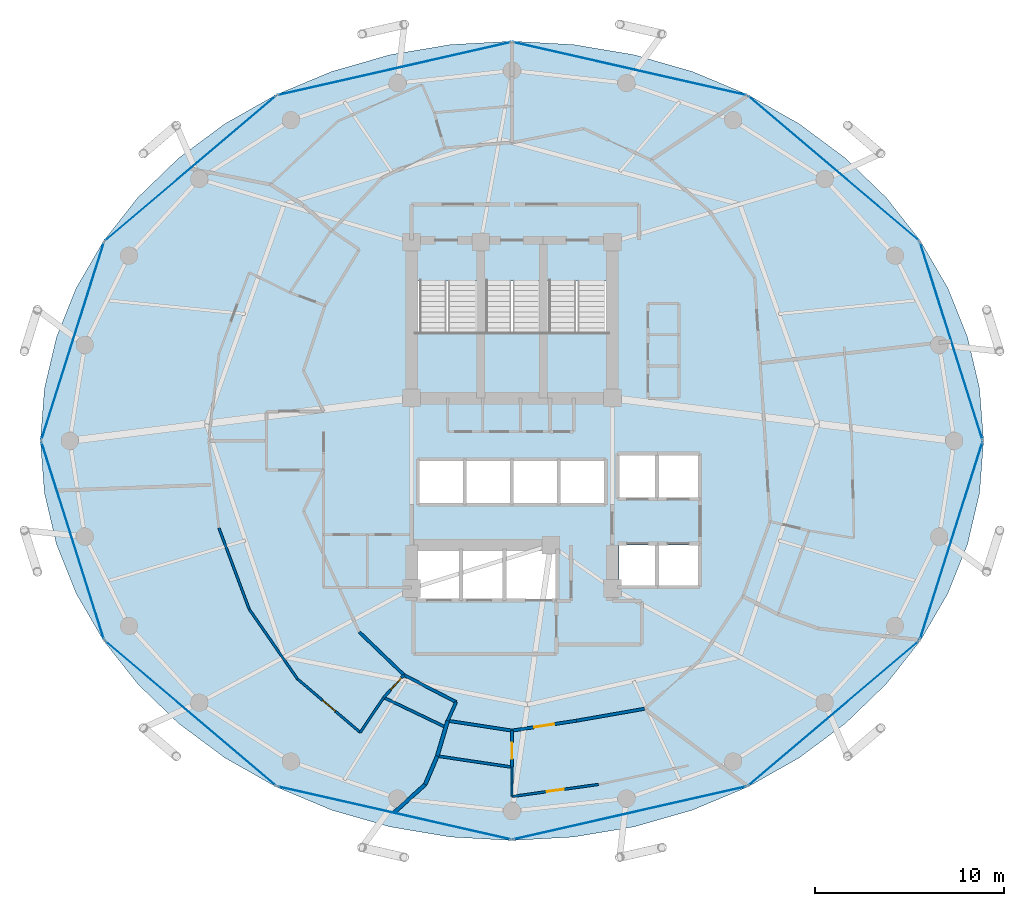
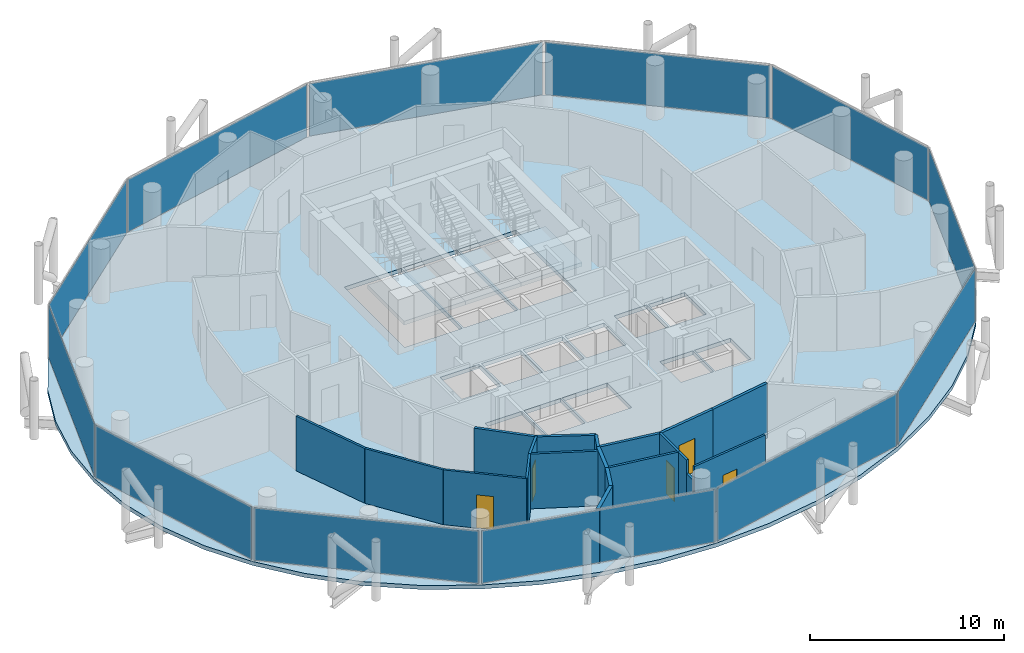
# One storey, part 21 of 26: 20 walls, 12 plates, 5 doors, 4 slabs, 5 openings, 15 elements without a shape of their own.
"""IFC4 building model written with IfcOpenShell, lengths in metres."""

from ifc_helpers import new_model, si_unit, direction, frame, frame_2d, origin, origin_2d, place, context, subcontext, project, spatial, polyline, rectangle, outline, extrude, material, layer, layer_set, type_object, element, fill, aggregate, save


model = new_model("IFC4")

# Units and contexts
model_context = context("Model", 3, precision=1e-05, world=origin(), true_north=direction((0.0, 1.0)))
body_context = subcontext(model_context, "Body", "Model", "MODEL_VIEW")
ifc_project = project(units=[si_unit("LENGTHUNIT", "METRE"), si_unit("AREAUNIT", "SQUARE_METRE"), si_unit("VOLUMEUNIT", "CUBIC_METRE"), si_unit("PLANEANGLEUNIT", "RADIAN"), si_unit("MASSUNIT", "GRAM", prefix="KILO")], contexts=[model_context])

# Site, building, storey
site_placement = place(None, origin())
site = spatial("IfcSite", under=ifc_project, at=site_placement, CompositionType="ELEMENT")
building_placement = place(site_placement, origin())
building = spatial("IfcBuilding", under=site, at=building_placement, Name="Nuhasar Tower", CompositionType="ELEMENT")
storey_placement = place(building_placement, frame((0.0, 0.0, 136.75)))
storey = spatial("IfcBuildingStorey", under=building, at=storey_placement, Name="L32", CompositionType="ELEMENT", Elevation=136.75)

# Curtain wall, plate
ifc_material_1 = material(Name="Aluminium 6063-T6", Category="aluminium")
ifc_layer_1 = layer(ifc_material_1, 0.199951171875)
ifc_layer_set_1 = layer_set([ifc_layer_1], Name="Aluminium 6063-T6")
curtain_wall_type = type_object("IfcCurtainWallType", Name="CW-Z2-HTL", PredefinedType="NOTDEFINED", material=ifc_layer_set_1)
curtain_wall_1_placement = place(storey_placement, origin())
curtain_wall_1 = element("IfcCurtainWall", 1, at=curtain_wall_1_placement, inside=storey, type_object=curtain_wall_type, Name="L32 Unitised Curtain Wall 01", PredefinedType="NOTDEFINED")
ifc_material_2 = material(Name="Glass Double Low-E", Category="glass")
ifc_layer_2 = layer(ifc_material_2, 0.028076171875)
ifc_layer_set_2 = layer_set([ifc_layer_2], Name="Glass Double Low-E")
plate_type = type_object("IfcPlateType", Name="CW-PANEL-GLZ", PredefinedType="CURTAIN_PANEL", material=ifc_layer_set_2)
plate_1_placement = place(storey_placement, frame((62.194580078125, 32.06494140625, 0.070068359375), z_axis=(0.0, 0.0, 1.0), x_axis=(-0.301603667577, 0.953433389233, 0.0)))
plate_1 = element("IfcPlate", 2, at=plate_1_placement, type_object=plate_type, Name="CW-Z2 panel 1.1", PredefinedType="CURTAIN_PANEL", context=body_context, shape_type="SweptSolid", body=[
    extrude(rectangle(XDim=10.904296875, YDim=0.028076171875, at=origin_2d()), origin(), (0.0, 0.0, 1.0), 3.31005859375),
])
aggregate(curtain_wall_1, [plate_1])

curtain_wall_2_placement = place(storey_placement, origin())
curtain_wall_2 = element("IfcCurtainWall", 3, at=curtain_wall_2_placement, inside=storey, type_object=curtain_wall_type, Name="L32 Unitised Curtain Wall 02", PredefinedType="NOTDEFINED")
plate_2_placement = place(storey_placement, frame((55.9794921875, 41.18408203125, 0.070068359375), z_axis=(0.0, 0.0, 1.0), x_axis=(-0.763020370292, 0.646374438324, 0.0)))
plate_2 = element("IfcPlate", 4, at=plate_2_placement, type_object=plate_type, Name="CW-Z2 panel 1.1", PredefinedType="CURTAIN_PANEL", context=body_context, shape_type="SweptSolid", body=[
    extrude(rectangle(XDim=11.784912109375, YDim=0.028076171875, at=origin_2d()), origin(), (0.0, 0.0, 1.0), 3.31005859375),
])
aggregate(curtain_wall_2, [plate_2])

curtain_wall_3_placement = place(storey_placement, origin())
curtain_wall_3 = element("IfcCurtainWall", 5, at=curtain_wall_3_placement, inside=storey, type_object=curtain_wall_type, Name="L32 Unitised Curtain Wall 03", PredefinedType="NOTDEFINED")
plate_3_placement = place(storey_placement, frame((45.215087890625, 46.448974609375, 0.070068359375), z_axis=(0.0, 0.0, 1.0), x_axis=(-0.975183694221, 0.22139729566, 0.0)))
plate_3 = element("IfcPlate", 6, at=plate_3_placement, type_object=plate_type, Name="CW-Z2 panel 1.1", PredefinedType="CURTAIN_PANEL", context=body_context, shape_type="SweptSolid", body=[
    extrude(rectangle(XDim=12.606201171875, YDim=0.028076171875, at=origin_2d()), origin(), (0.0, 0.0, 1.0), 3.31005859375),
])
aggregate(curtain_wall_3, [plate_3])

curtain_wall_4_placement = place(storey_placement, origin())
curtain_wall_4 = element("IfcCurtainWall", 7, at=curtain_wall_4_placement, inside=storey, type_object=curtain_wall_type, Name="L32 Unitised Curtain Wall 04", PredefinedType="NOTDEFINED")
plate_4_placement = place(storey_placement, frame((32.784912109375, 46.448974609375, 0.070068359375), z_axis=(0.0, 0.0, 1.0), x_axis=(-0.975183694221, -0.22139729566, 0.0)))
plate_4 = element("IfcPlate", 8, at=plate_4_placement, type_object=plate_type, Name="CW-Z2 panel 1.1", PredefinedType="CURTAIN_PANEL", context=body_context, shape_type="SweptSolid", body=[
    extrude(rectangle(XDim=12.606201171875, YDim=0.028076171875, at=origin_2d()), origin(), (0.0, 0.0, 1.0), 3.31005859375),
])
aggregate(curtain_wall_4, [plate_4])

curtain_wall_5_placement = place(storey_placement, origin())
curtain_wall_5 = element("IfcCurtainWall", 9, at=curtain_wall_5_placement, inside=storey, type_object=curtain_wall_type, Name="L32 Unitised Curtain Wall 05", PredefinedType="NOTDEFINED")
plate_5_placement = place(storey_placement, frame((22.0205078125, 41.18408203125, 0.070068359375), z_axis=(0.0, 0.0, 1.0), x_axis=(-0.763020370292, -0.646374438324, 0.0)))
plate_5 = element("IfcPlate", 10, at=plate_5_placement, type_object=plate_type, Name="CW-Z2 panel 1.1", PredefinedType="CURTAIN_PANEL", context=body_context, shape_type="SweptSolid", body=[
    extrude(rectangle(XDim=11.784912109375, YDim=0.028076171875, at=origin_2d()), origin(), (0.0, 0.0, 1.0), 3.31005859375),
])
aggregate(curtain_wall_5, [plate_5])

curtain_wall_6_placement = place(storey_placement, origin())
curtain_wall_6 = element("IfcCurtainWall", 11, at=curtain_wall_6_placement, inside=storey, type_object=curtain_wall_type, Name="L32 Unitised Curtain Wall 06", PredefinedType="NOTDEFINED")
plate_6_placement = place(storey_placement, frame((15.805419921875, 32.06494140625, 0.070068359375), z_axis=(0.0, 0.0, 1.0), x_axis=(-0.301603667577, -0.953433389233, 0.0)))
plate_6 = element("IfcPlate", 12, at=plate_6_placement, type_object=plate_type, Name="CW-Z2 panel 1.1", PredefinedType="CURTAIN_PANEL", context=body_context, shape_type="SweptSolid", body=[
    extrude(rectangle(XDim=10.904296875, YDim=0.028076171875, at=origin_2d()), origin(), (0.0, 0.0, 1.0), 3.31005859375),
])
aggregate(curtain_wall_6, [plate_6])

curtain_wall_7_placement = place(storey_placement, origin())
curtain_wall_7 = element("IfcCurtainWall", 13, at=curtain_wall_7_placement, inside=storey, type_object=curtain_wall_type, Name="L32 Unitised Curtain Wall 07", PredefinedType="NOTDEFINED")
plate_7_placement = place(storey_placement, frame((15.805419921875, 21.534912109375, 0.070068359375), z_axis=(0.0, 0.0, 1.0), x_axis=(0.301603667577, -0.953433389233, 0.0)))
plate_7 = element("IfcPlate", 14, at=plate_7_placement, type_object=plate_type, Name="CW-Z2 panel 1.1", PredefinedType="CURTAIN_PANEL", context=body_context, shape_type="SweptSolid", body=[
    extrude(rectangle(XDim=10.904296875, YDim=0.028076171875, at=origin_2d()), origin(), (0.0, 0.0, 1.0), 3.31005859375),
])
aggregate(curtain_wall_7, [plate_7])

curtain_wall_8_placement = place(storey_placement, origin())
curtain_wall_8 = element("IfcCurtainWall", 15, at=curtain_wall_8_placement, inside=storey, type_object=curtain_wall_type, Name="L32 Unitised Curtain Wall 08", PredefinedType="NOTDEFINED")
plate_8_placement = place(storey_placement, frame((22.0205078125, 12.416015625, 0.070068359375), z_axis=(0.0, 0.0, 1.0), x_axis=(0.763020370292, -0.646374438324, 0.0)))
plate_8 = element("IfcPlate", 16, at=plate_8_placement, type_object=plate_type, Name="CW-Z2 panel 1.1", PredefinedType="CURTAIN_PANEL", context=body_context, shape_type="SweptSolid", body=[
    extrude(rectangle(XDim=11.784912109375, YDim=0.028076171875, at=origin_2d()), origin(), (0.0, 0.0, 1.0), 3.31005859375),
])
aggregate(curtain_wall_8, [plate_8])

curtain_wall_9_placement = place(storey_placement, origin())
curtain_wall_9 = element("IfcCurtainWall", 17, at=curtain_wall_9_placement, inside=storey, type_object=curtain_wall_type, Name="L32 Unitised Curtain Wall 09", PredefinedType="NOTDEFINED")
plate_9_placement = place(storey_placement, frame((32.784912109375, 7.15087890625, 0.070068359375), z_axis=(0.0, 0.0, 1.0), x_axis=(0.975183694221, -0.22139729566, 0.0)))
plate_9 = element("IfcPlate", 18, at=plate_9_placement, type_object=plate_type, Name="CW-Z2 panel 1.1", PredefinedType="CURTAIN_PANEL", context=body_context, shape_type="SweptSolid", body=[
    extrude(rectangle(XDim=12.606201171875, YDim=0.028076171875, at=origin_2d()), origin(), (0.0, 0.0, 1.0), 3.31005859375),
])
aggregate(curtain_wall_9, [plate_9])

curtain_wall_10_placement = place(storey_placement, origin())
curtain_wall_10 = element("IfcCurtainWall", 19, at=curtain_wall_10_placement, inside=storey, type_object=curtain_wall_type, Name="L32 Unitised Curtain Wall 10", PredefinedType="NOTDEFINED")
plate_10_placement = place(storey_placement, frame((45.215087890625, 7.15087890625, 0.070068359375), z_axis=(0.0, 0.0, 1.0), x_axis=(0.975183694221, 0.22139729566, 0.0)))
plate_10 = element("IfcPlate", 20, at=plate_10_placement, type_object=plate_type, Name="CW-Z2 panel 1.1", PredefinedType="CURTAIN_PANEL", context=body_context, shape_type="SweptSolid", body=[
    extrude(rectangle(XDim=12.606201171875, YDim=0.028076171875, at=origin_2d()), origin(), (0.0, 0.0, 1.0), 3.31005859375),
])
aggregate(curtain_wall_10, [plate_10])

curtain_wall_11_placement = place(storey_placement, origin())
curtain_wall_11 = element("IfcCurtainWall", 21, at=curtain_wall_11_placement, inside=storey, type_object=curtain_wall_type, Name="L32 Unitised Curtain Wall 11", PredefinedType="NOTDEFINED")
plate_11_placement = place(storey_placement, frame((55.9794921875, 12.416015625, 0.070068359375), z_axis=(0.0, 0.0, 1.0), x_axis=(0.763020370292, 0.646374438324, 0.0)))
plate_11 = element("IfcPlate", 22, at=plate_11_placement, type_object=plate_type, Name="CW-Z2 panel 1.1", PredefinedType="CURTAIN_PANEL", context=body_context, shape_type="SweptSolid", body=[
    extrude(rectangle(XDim=11.784912109375, YDim=0.028076171875, at=origin_2d()), origin(), (0.0, 0.0, 1.0), 3.31005859375),
])
aggregate(curtain_wall_11, [plate_11])

curtain_wall_12_placement = place(storey_placement, origin())
curtain_wall_12 = element("IfcCurtainWall", 23, at=curtain_wall_12_placement, inside=storey, type_object=curtain_wall_type, Name="L32 Unitised Curtain Wall 12", PredefinedType="NOTDEFINED")
plate_12_placement = place(storey_placement, frame((62.194580078125, 21.534912109375, 0.070068359375), z_axis=(0.0, 0.0, 1.0), x_axis=(0.301603667577, 0.953433389233, 0.0)))
plate_12 = element("IfcPlate", 24, at=plate_12_placement, type_object=plate_type, Name="CW-Z2 panel 1.1", PredefinedType="CURTAIN_PANEL", context=body_context, shape_type="SweptSolid", body=[
    extrude(rectangle(XDim=10.904296875, YDim=0.028076171875, at=origin_2d()), origin(), (0.0, 0.0, 1.0), 3.31005859375),
])
aggregate(curtain_wall_12, [plate_12])

# Stair, slab
ifc_material_3 = material(Name="Concrete C45/55", Category="concrete")
stair_type_1 = type_object("IfcStairType", Name="STR-ST-01-2F-22R-1682", PredefinedType="HALF_TURN_STAIR", material=ifc_material_3)
stair_1_placement = place(storey_placement, origin())
stair_1 = element("IfcStair", 25, at=stair_1_placement, inside=storey, type_object=stair_type_1, Name="L32 Exit Stair ST-01", PredefinedType="HALF_TURN_STAIR")
ifc_layer_3 = layer(ifc_material_3, 0.239990234375)
ifc_layer_set_3 = layer_set([ifc_layer_3], Name="Concrete C45/55")
slab_type_1 = type_object("IfcSlabType", Name="SLB-STAIR-LND-240", PredefinedType="LANDING", material=ifc_layer_set_3)
slab_1_placement = place(storey_placement, frame((0.0, 0.0, 1.610107421875)))
slab_1 = element("IfcSlab", 26, at=slab_1_placement, type_object=slab_type_1, Name="ST-01 landing 1", PredefinedType="LANDING", context=body_context, shape_type="SweptSolid", body=[
    extrude(outline(polyline([(33.699951171875, 28.75), (37.35009765625, 28.75), (37.35009765625, 32.52001953125), (33.699951171875, 32.52001953125), (33.699951171875, 28.75)])), origin(), (0.0, 0.0, 1.0), 0.239990234375),
])
aggregate(stair_1, [slab_1])

stair_type_2 = type_object("IfcStairType", Name="STR-ST-03-2F-22R-1682", PredefinedType="HALF_TURN_STAIR", material=ifc_material_3)
stair_2_placement = place(storey_placement, origin())
stair_2 = element("IfcStair", 27, at=stair_2_placement, inside=storey, type_object=stair_type_2, Name="L32 Exit Stair ST-03", PredefinedType="HALF_TURN_STAIR")
slab_2_placement = place(storey_placement, frame((0.0, 0.0, 1.610107421875)))
slab_2 = element("IfcSlab", 28, at=slab_2_placement, type_object=slab_type_1, Name="ST-03 landing 1", PredefinedType="LANDING", context=body_context, shape_type="SweptSolid", body=[
    extrude(outline(polyline([(37.35009765625, 28.75), (40.64990234375, 28.75), (40.64990234375, 32.52001953125), (37.35009765625, 32.52001953125), (37.35009765625, 28.75)])), origin(), (0.0, 0.0, 1.0), 0.239990234375),
])
aggregate(stair_2, [slab_2])

stair_type_3 = type_object("IfcStairType", Name="STR-ST-02-2F-22R-1682", PredefinedType="HALF_TURN_STAIR", material=ifc_material_3)
stair_3_placement = place(storey_placement, origin())
stair_3 = element("IfcStair", 29, at=stair_3_placement, inside=storey, type_object=stair_type_3, Name="L32 Exit Stair ST-02", PredefinedType="HALF_TURN_STAIR")
slab_3_placement = place(storey_placement, frame((0.0, 0.0, 1.610107421875)))
slab_3 = element("IfcSlab", 30, at=slab_3_placement, type_object=slab_type_1, Name="ST-02 landing 1", PredefinedType="LANDING", context=body_context, shape_type="SweptSolid", body=[
    extrude(outline(polyline([(40.64990234375, 28.75), (44.300048828125, 28.75), (44.300048828125, 32.52001953125), (40.64990234375, 32.52001953125), (40.64990234375, 28.75)])), origin(), (0.0, 0.0, 1.0), 0.239990234375),
])
aggregate(stair_3, [slab_3])

# Slab
ifc_layer_4 = layer(ifc_material_3, 0.25)
ifc_layer_set_4 = layer_set([ifc_layer_4], Name="Concrete C45/55")
slab_type_2 = type_object("IfcSlabType", Name="SLB-Z1B-250", PredefinedType="FLOOR", material=ifc_layer_set_4)
slab_4_placement = place(storey_placement, frame((0.0, 0.0, -0.25)))
element("IfcSlab", 31, at=slab_4_placement, inside=storey, type_object=slab_type_2, Name="L32 Structural Slab", PredefinedType="FLOOR", context=body_context, shape_type="SweptSolid", body=[
    extrude(outline(polyline([(63.89990234375, 26.800048828125), (63.68701171875, 29.553955078125), (63.052001953125, 32.260986328125), (62.0048828125, 34.875), (60.56396484375, 37.35009765625), (58.75390625, 39.64501953125), (56.60693359375, 41.719970703125), (54.157958984375, 43.5400390625), (51.449951171875, 45.072998046875), (48.529052734375, 46.2939453125), (45.445068359375, 47.180908203125), (42.25, 47.718994140625), (39.0, 47.89990234375), (35.75, 47.718994140625), (32.554931640625, 47.180908203125), (29.470947265625, 46.2939453125), (26.550048828125, 45.072998046875), (23.842041015625, 43.5400390625), (21.39306640625, 41.719970703125), (19.24609375, 39.64501953125), (17.43603515625, 37.35009765625), (15.9951171875, 34.875), (14.947998046875, 32.260986328125), (14.31298828125, 29.553955078125), (14.10009765625, 26.800048828125), (14.31298828125, 24.0458984375), (14.947998046875, 21.339111328125), (15.9951171875, 18.72509765625), (17.43603515625, 16.25), (19.24609375, 13.955078125), (21.39306640625, 11.8798828125), (23.842041015625, 10.06005859375), (26.550048828125, 8.527099609375), (29.470947265625, 7.305908203125), (32.554931640625, 6.4189453125), (35.75, 5.881103515625), (39.0, 5.699951171875), (42.25, 5.881103515625), (45.445068359375, 6.4189453125), (48.529052734375, 7.305908203125), (51.449951171875, 8.527099609375), (54.157958984375, 10.06005859375), (56.60693359375, 11.8798828125), (58.75390625, 13.955078125), (60.56396484375, 16.25), (62.0048828125, 18.72509765625), (63.052001953125, 21.339111328125), (63.68701171875, 24.0458984375), (63.89990234375, 26.800048828125)]), holes=[polyline([(33.8798828125, 35.25), (37.300048828125, 35.25), (37.300048828125, 29.0), (33.8798828125, 29.0), (33.8798828125, 35.25)]), polyline([(37.39990234375, 35.25), (40.60009765625, 35.25), (40.60009765625, 29.0), (37.39990234375, 29.0), (37.39990234375, 35.25)]), polyline([(40.699951171875, 35.25), (44.1201171875, 35.25), (44.1201171875, 29.0), (40.699951171875, 29.0), (40.699951171875, 35.25)]), polyline([(44.64990234375, 26.050048828125), (46.60009765625, 26.050048828125), (46.60009765625, 23.800048828125), (44.64990234375, 23.800048828125), (44.64990234375, 26.050048828125)]), polyline([(46.699951171875, 26.050048828125), (48.85009765625, 26.050048828125), (48.85009765625, 23.800048828125), (46.699951171875, 23.800048828125), (46.699951171875, 26.050048828125)]), polyline([(44.64990234375, 21.300048828125), (46.60009765625, 21.300048828125), (46.60009765625, 19.14990234375), (44.64990234375, 19.14990234375), (44.64990234375, 21.300048828125)]), polyline([(46.699951171875, 21.300048828125), (48.85009765625, 21.300048828125), (48.85009765625, 19.14990234375), (46.699951171875, 19.14990234375), (46.699951171875, 21.300048828125)]), polyline([(34.10009765625, 25.75), (36.43994140625, 25.75), (36.43994140625, 23.5), (34.10009765625, 23.5), (34.10009765625, 25.75)]), polyline([(36.580078125, 25.75), (38.919921875, 25.75), (38.919921875, 23.5), (36.580078125, 23.5), (36.580078125, 25.75)]), polyline([(39.06005859375, 25.75), (41.39990234375, 25.75), (41.39990234375, 23.5), (39.06005859375, 23.5), (39.06005859375, 25.75)]), polyline([(41.5400390625, 25.75), (43.8798828125, 25.75), (43.8798828125, 23.5), (41.5400390625, 23.5), (41.5400390625, 25.75)]), polyline([(34.050048828125, 21.0), (36.25, 21.0), (36.25, 18.449951171875), (34.050048828125, 18.449951171875), (34.050048828125, 21.0)]), polyline([(36.35009765625, 21.0), (38.550048828125, 21.0), (38.550048828125, 18.449951171875), (36.35009765625, 18.449951171875), (36.35009765625, 21.0)]), polyline([(38.64990234375, 21.0), (41.320068359375, 21.0), (41.320068359375, 18.449951171875), (38.64990234375, 18.449951171875), (38.64990234375, 21.0)])]), origin(), (0.0, 0.0, 1.0), 0.25),
])

# Wall
ifc_material_4 = material(Name="Gypsum Board", Category="gypsum")
ifc_layer_5 = layer(ifc_material_4, 0.159912109375)
ifc_layer_set_5 = layer_set([ifc_layer_5], Name="Gypsum Board")
wall_type_1 = type_object("IfcWallType", Name="WL-CORR-160", PredefinedType="PARTITIONING", material=ifc_layer_set_5)
wall_1_placement = place(storey_placement, frame((35.60400390625, 12.02099609375, 0.0), z_axis=(0.0, 0.0, 1.0), x_axis=(0.988435686542, -0.151640672544, 0.0)))
element("IfcWall", 32, at=wall_1_placement, inside=storey, type_object=wall_type_1, Name="L32 Interior Partition CORR-34", PredefinedType="PARTITIONING", context=body_context, shape_type="SweptSolid", body=[
    extrude(rectangle(XDim=3.435791015625, YDim=0.159912109375, at=frame_2d((1.7177734375, 0.0))), origin(), (0.0, 0.0, 1.0), 3.449951171875),
])

# Wall, opening, door
wall_2_placement = place(storey_placement, frame((42.39599609375, 12.02099609375, 0.0), z_axis=(0.0, 0.0, 1.0), x_axis=(-0.988435686542, -0.151640672544, 0.0)))
wall_2 = element("IfcWall", 33, at=wall_2_placement, inside=storey, type_object=wall_type_1, Name="L32 Interior Partition CORR-36", PredefinedType="PARTITIONING", context=body_context, shape_type="SweptSolid", body=[
    extrude(rectangle(XDim=3.435791015625, YDim=0.159912109375, at=frame_2d((1.7177734375, 0.0))), origin(), (0.0, 0.0, 1.0), 3.449951171875),
])
opening_1_placement = place(wall_2_placement, frame((1.193115234375, 0.0, 0.0)))
opening_1 = element("IfcOpeningElement", 34, at=opening_1_placement, cuts=wall_2, Name="Opening DU-01", PredefinedType="OPENING", context=body_context, shape_type="SweptSolid", body=[
    extrude(rectangle(XDim=1.050048828125, YDim=2.14990234375, at=frame_2d((0.52490234375, 1.074951171875))), frame((0.0, 0.08984375, 0.0), z_axis=(0.0, -1.0, 0.0), x_axis=(1.0, 0.0, 0.0)), (0.0, 0.0, 1.0), 0.179931640625),
])
ifc_material_5 = material(Name="Timber Oak", Category="wood")
door_type_1 = type_object("IfcDoorType", Name="DR-SUITE-FD60-1050", OperationType="NOTDEFINED", PredefinedType="DOOR", material=ifc_material_5)
door_1_placement = place(opening_1_placement, origin())
door_1 = element("IfcDoor", 35, at=door_1_placement, inside=storey, type_object=door_type_1, Name="L32 Red Sea Suite 01 Entrance Door", OperationType="SINGLE_SWING_LEFT", OverallHeight=2.14990234375, OverallWidth=1.050048828125, PredefinedType="DOOR", context=body_context, shape_type="SweptSolid", body=[
    extrude(rectangle(XDim=1.050048828125, YDim=2.14990234375, at=frame_2d((0.52490234375, 1.074951171875))), frame((0.0, 0.02490234375, 0.0), z_axis=(0.0, -1.0, 0.0), x_axis=(1.0, 0.0, 0.0)), (0.0, 0.0, 1.0), 0.050048828125),
])
fill(opening_1, door_1)

# Walls
wall_3_placement = place(storey_placement, frame((42.39599609375, 12.02099609375, 0.0), z_axis=(0.0, 0.0, 1.0), x_axis=(0.984952845055, 0.172823299988, 0.0)))
element("IfcWall", 36, at=wall_3_placement, inside=storey, type_object=wall_type_1, Name="L32 Interior Partition CORR-38", PredefinedType="PARTITIONING", context=body_context, shape_type="SweptSolid", body=[
    extrude(rectangle(XDim=3.6630859375, YDim=0.159912109375, at=frame_2d((1.83154296875, 0.0))), origin(), (0.0, 0.0, 1.0), 3.449951171875),
])
wall_4_placement = place(storey_placement, frame((36.049072265625, 13.007080078125, 0.0), z_axis=(0.0, 0.0, 1.0), x_axis=(-0.411387183407, -0.911460687758, 0.0)))
element("IfcWall", 37, at=wall_4_placement, inside=storey, type_object=wall_type_1, Name="L32 Interior Partition HRAD-34-IN", PredefinedType="PARTITIONING", context=body_context, shape_type="SweptSolid", body=[
    extrude(rectangle(XDim=1.081787109375, YDim=0.159912109375, at=frame_2d((0.541015625, 0.0))), origin(), (0.0, 0.0, 1.0), 3.449951171875),
])
wall_5_placement = place(storey_placement, frame((30.93896484375, 16.702880859375, 0.0), z_axis=(0.0, 0.0, 1.0), x_axis=(0.72090897908, -0.693029756851, 0.0)))
element("IfcWall", 38, at=wall_5_placement, inside=storey, type_object=wall_type_1, Name="L32 Interior Partition HWEST-CORE-S2-30", PredefinedType="PARTITIONING", context=body_context, shape_type="SweptSolid", body=[
    extrude(rectangle(XDim=3.275146484375, YDim=0.159912109375, at=frame_2d((1.6376953125, 0.0))), origin(), (0.0, 0.0, 1.0), 3.449951171875),
])
wall_6_placement = place(storey_placement, frame((33.300048828125, 14.43310546875, 0.0), z_axis=(0.0, 0.0, 1.0), x_axis=(0.887674575788, -0.460471331898, 0.0)))
element("IfcWall", 39, at=wall_6_placement, inside=storey, type_object=wall_type_1, Name="L32 Interior Partition HWEST-CORE-S2-32", PredefinedType="PARTITIONING", context=body_context, shape_type="SweptSolid", body=[
    extrude(rectangle(XDim=3.096923828125, YDim=0.159912109375, at=frame_2d((1.54833984375, 0.0))), origin(), (0.0, 0.0, 1.0), 3.449951171875),
])
ifc_layer_6 = layer(ifc_material_4, 0.125)
ifc_layer_set_6 = layer_set([ifc_layer_6], Name="Gypsum Board")
wall_type_2 = type_object("IfcWallType", Name="WL-PART-125", PredefinedType="PARTITIONING", material=ifc_layer_set_6)
wall_7_placement = place(storey_placement, frame((39.0, 9.570068359375, 0.0), z_axis=(0.0, 0.0, 1.0), x_axis=(0.0, -1.0, 0.0)))
element("IfcWall", 40, at=wall_7_placement, inside=storey, type_object=wall_type_2, Name="L32 Interior Partition HBS-01", PredefinedType="PARTITIONING", context=body_context, shape_type="SweptSolid", body=[
    extrude(rectangle(XDim=0.880126953125, YDim=0.125, at=frame_2d((0.43994140625, 0.0))), origin(), (0.0, 0.0, 1.0), 3.449951171875),
])
wall_8_placement = place(storey_placement, frame((39.0, 8.68994140625, 0.0), z_axis=(0.0, 0.0, 1.0), x_axis=(0.0, -1.0, 0.0)))
element("IfcWall", 41, at=wall_8_placement, inside=storey, type_object=wall_type_2, Name="L32 Interior Partition HBS-01", PredefinedType="PARTITIONING", context=body_context, shape_type="SweptSolid", body=[
    extrude(rectangle(XDim=0.669921875, YDim=0.125, at=frame_2d((0.3349609375, 0.0))), origin(), (0.0, 0.0, 1.0), 2.590087890625),
])

# Wall, opening, door
wall_9_placement = place(storey_placement, frame((43.5810546875, 8.659912109375, 0.0), z_axis=(0.0, 0.0, 1.0), x_axis=(-0.990384892578, -0.138339309499, 0.0)))
wall_9 = element("IfcWall", 42, at=wall_9_placement, inside=storey, type_object=wall_type_2, Name="L32 Interior Partition HSAL-01-36", PredefinedType="PARTITIONING", context=body_context, shape_type="SweptSolid", body=[
    extrude(rectangle(XDim=4.62548828125, YDim=0.125, at=frame_2d((2.312744140625, 0.0))), origin(), (0.0, 0.0, 1.0), 3.449951171875),
])
opening_2_placement = place(wall_9_placement, frame((1.863037109375, 0.0, 0.0)))
opening_2 = element("IfcOpeningElement", 43, at=opening_2_placement, cuts=wall_9, Name="Opening DR-01", PredefinedType="OPENING", context=body_context, shape_type="SweptSolid", body=[
    extrude(rectangle(XDim=0.89990234375, YDim=2.10009765625, at=frame_2d((0.449951171875, 1.050048828125))), frame((0.0, 0.072509765625, 0.0), z_axis=(0.0, -1.0, 0.0), x_axis=(1.0, 0.0, 0.0)), (0.0, 0.0, 1.0), 0.14501953125),
])
door_type_2 = type_object("IfcDoorType", Name="DR-ROOM-900", OperationType="NOTDEFINED", PredefinedType="DOOR", material=ifc_material_5)
door_2_placement = place(opening_2_placement, origin())
door_2 = element("IfcDoor", 44, at=door_2_placement, inside=storey, type_object=door_type_2, Name="L32 Red Sea Suite 01 Bedroom Door", OperationType="SINGLE_SWING_LEFT", OverallHeight=2.10009765625, OverallWidth=0.89990234375, PredefinedType="DOOR", context=body_context, shape_type="SweptSolid", body=[
    extrude(rectangle(XDim=0.89990234375, YDim=2.10009765625, at=frame_2d((0.449951171875, 1.050048828125))), frame((0.0, 0.02490234375, 0.0), z_axis=(0.0, -1.0, 0.0), x_axis=(1.0, 0.0, 0.0)), (0.0, 0.0, 1.0), 0.050048828125),
])
fill(opening_2, door_2)

# Walls
wall_10_placement = place(storey_placement, frame((32.22509765625, 13.2470703125, 0.0), z_axis=(0.0, 0.0, 1.0), x_axis=(-0.556297850913, -0.830982972791, 0.0)))
element("IfcWall", 45, at=wall_10_placement, inside=storey, type_object=wall_type_2, Name="L32 Interior Partition HWS2-N", PredefinedType="PARTITIONING", context=body_context, shape_type="SweptSolid", body=[
    extrude(rectangle(XDim=2.22021484375, YDim=0.125, at=frame_2d((1.110107421875, 0.0))), origin(), (0.0, 0.0, 1.0), 3.449951171875),
])
wall_11_placement = place(storey_placement, frame((23.52587890625, 22.197998046875, 0.0), z_axis=(0.0, 0.0, 1.0), x_axis=(0.349603098964, -0.936897899024, 0.0)))
element("IfcWall", 46, at=wall_11_placement, inside=storey, type_object=wall_type_2, Name="L32 Interior Partition HWS2-ARC-26", PredefinedType="PARTITIONING", context=body_context, shape_type="SweptSolid", body=[
    extrude(rectangle(XDim=4.576904296875, YDim=0.125, at=frame_2d((2.28857421875, 0.0))), origin(), (0.0, 0.0, 1.0), 3.449951171875),
])
wall_12_placement = place(storey_placement, frame((25.1259765625, 17.909912109375, 0.0), z_axis=(0.0, 0.0, 1.0), x_axis=(0.568778830708, -0.822490511641, 0.0)))
element("IfcWall", 47, at=wall_12_placement, inside=storey, type_object=wall_type_2, Name="L32 Interior Partition HWS2-ARC-28", PredefinedType="PARTITIONING", context=body_context, shape_type="SweptSolid", body=[
    extrude(rectangle(XDim=4.4765625, YDim=0.125, at=frame_2d((2.23828125, 0.0))), origin(), (0.0, 0.0, 1.0), 3.449951171875),
])

# Wall, opening, door
wall_13_placement = place(storey_placement, frame((27.672119140625, 14.22802734375, 0.0), z_axis=(0.0, 0.0, 1.0), x_axis=(0.76128931679, -0.648412350393, 0.0)))
wall_13 = element("IfcWall", 48, at=wall_13_placement, inside=storey, type_object=wall_type_2, Name="L32 Interior Partition HWS2-ARC-30", PredefinedType="PARTITIONING", context=body_context, shape_type="SweptSolid", body=[
    extrude(rectangle(XDim=4.358154296875, YDim=0.125, at=frame_2d((2.17919921875, 0.0))), origin(), (0.0, 0.0, 1.0), 3.449951171875),
])
opening_3_placement = place(wall_13_placement, frame((1.72900390625, 0.0, 0.0)))
opening_3 = element("IfcOpeningElement", 49, at=opening_3_placement, cuts=wall_13, Name="Opening DR-01", PredefinedType="OPENING", context=body_context, shape_type="SweptSolid", body=[
    extrude(rectangle(XDim=0.89990234375, YDim=2.10009765625, at=frame_2d((0.449951171875, 1.050048828125))), frame((0.0, 0.072509765625, 0.0), z_axis=(0.0, -1.0, 0.0), x_axis=(1.0, 0.0, 0.0)), (0.0, 0.0, 1.0), 0.14501953125),
])
door_3_placement = place(opening_3_placement, origin())
door_3 = element("IfcDoor", 50, at=door_3_placement, inside=storey, type_object=door_type_2, Name="L32 South-West Presidential Suite Bedroom Door", OperationType="SINGLE_SWING_LEFT", OverallHeight=2.10009765625, OverallWidth=0.89990234375, PredefinedType="DOOR", context=body_context, shape_type="SweptSolid", body=[
    extrude(rectangle(XDim=0.89990234375, YDim=2.10009765625, at=frame_2d((0.449951171875, 1.050048828125))), frame((0.0, 0.02490234375, 0.0), z_axis=(0.0, -1.0, 0.0), x_axis=(1.0, 0.0, 0.0)), (0.0, 0.0, 1.0), 0.050048828125),
])
fill(opening_3, door_3)

# Walls
ifc_material_6 = material(Name="Concrete C40/50 precast", Category="concrete")
ifc_layer_7 = layer(ifc_material_6, 0.199951171875)
ifc_layer_set_7 = layer_set([ifc_layer_7], Name="Concrete C40/50 precast")
wall_type_3 = type_object("IfcWallType", Name="WL-UNIT-200", PredefinedType="PARTITIONING", material=ifc_layer_set_7)
wall_14_placement = place(storey_placement, frame((35.60400390625, 12.02099609375, 0.0), z_axis=(0.0, 0.0, 1.0), x_axis=(-0.283485285535, -0.958976586203, 0.0)))
element("IfcWall", 51, at=wall_14_placement, inside=storey, type_object=wall_type_3, Name="L32 Interior Partition HRAD-34-OUT-S1", PredefinedType="PARTITIONING", context=body_context, shape_type="SweptSolid", body=[
    extrude(rectangle(XDim=1.94384765625, YDim=0.199951171875, at=frame_2d((0.971923828125, 0.0))), origin(), (0.0, 0.0, 1.0), 3.449951171875),
])
wall_15_placement = place(storey_placement, frame((35.052978515625, 10.156982421875, 0.0), z_axis=(0.0, 0.0, 1.0), x_axis=(-0.389982878965, -0.920822107746, 0.0)))
element("IfcWall", 52, at=wall_15_placement, inside=storey, type_object=wall_type_3, Name="L32 Interior Partition HRAD-34-OUT-S2", PredefinedType="PARTITIONING", context=body_context, shape_type="SweptSolid", body=[
    extrude(rectangle(XDim=1.625732421875, YDim=0.199951171875, at=frame_2d((0.81298828125, 0.0))), origin(), (0.0, 0.0, 1.0), 3.449951171875),
])
wall_16_placement = place(storey_placement, frame((34.4189453125, 8.659912109375, 0.0), z_axis=(0.0, 0.0, 1.0), x_axis=(-0.740267097712, -0.672312891476, 0.0)))
element("IfcWall", 53, at=wall_16_placement, inside=storey, type_object=wall_type_3, Name="L32 Interior Partition HRAD-34-OUT-S3", PredefinedType="PARTITIONING", context=body_context, shape_type="SweptSolid", body=[
    extrude(rectangle(XDim=2.195068359375, YDim=0.199951171875, at=frame_2d((1.09765625, 0.0))), origin(), (0.0, 0.0, 1.0), 3.449951171875),
])

# Wall, opening, door
ifc_layer_8 = layer(ifc_material_6, 0.139892578125)
ifc_layer_set_8 = layer_set([ifc_layer_8], Name="Concrete C40/50 precast")
wall_type_4 = type_object("IfcWallType", Name="WL-WET-140", PredefinedType="PARTITIONING", material=ifc_layer_set_8)
wall_17_placement = place(storey_placement, frame((39.0, 11.5, 0.0), z_axis=(0.0, 0.0, 1.0), x_axis=(0.0, -1.0, 0.0)))
wall_17 = element("IfcWall", 54, at=wall_17_placement, inside=storey, type_object=wall_type_4, Name="L32 Interior Partition HBW-01", PredefinedType="PARTITIONING", context=body_context, shape_type="SweptSolid", body=[
    extrude(rectangle(XDim=1.929931640625, YDim=0.139892578125, at=frame_2d((0.96484375, 0.0))), origin(), (0.0, 0.0, 1.0), 3.449951171875),
])
opening_4_placement = place(wall_17_placement, frame((0.635986328125, 0.0, 0.0)))
opening_4 = element("IfcOpeningElement", 55, at=opening_4_placement, cuts=wall_17, Name="Opening DB-01", PredefinedType="OPENING", context=body_context, shape_type="SweptSolid", body=[
    extrude(rectangle(XDim=0.85009765625, YDim=2.10009765625, at=frame_2d((0.425048828125, 1.050048828125))), frame((0.0, 0.080078125, 0.0), z_axis=(0.0, -1.0, 0.0), x_axis=(1.0, 0.0, 0.0)), (0.0, 0.0, 1.0), 0.159912109375),
])
door_type_3 = type_object("IfcDoorType", Name="DR-BATH-850", OperationType="NOTDEFINED", PredefinedType="DOOR", material=ifc_material_5)
door_4_placement = place(opening_4_placement, origin())
door_4 = element("IfcDoor", 56, at=door_4_placement, inside=storey, type_object=door_type_3, Name="L32 Red Sea Suite 01 En-Suite Door", OperationType="SINGLE_SWING_RIGHT", OverallHeight=2.10009765625, OverallWidth=0.85009765625, PredefinedType="DOOR", context=body_context, shape_type="SweptSolid", body=[
    extrude(rectangle(XDim=0.85009765625, YDim=2.10009765625, at=frame_2d((0.425048828125, 1.050048828125))), frame((0.0, 0.02490234375, 0.0), z_axis=(0.0, -1.0, 0.0), x_axis=(1.0, 0.0, 0.0)), (0.0, 0.0, 1.0), 0.050048828125),
])
fill(opening_4, door_4)

# Wall
wall_18_placement = place(storey_placement, frame((35.052978515625, 10.156982421875, 0.0), z_axis=(0.0, 0.0, 1.0), x_axis=(0.989124481054, -0.147080797455, 0.0)))
element("IfcWall", 57, at=wall_18_placement, inside=storey, type_object=wall_type_4, Name="L32 Interior Partition HBF-01-34", PredefinedType="PARTITIONING", context=body_context, shape_type="SweptSolid", body=[
    extrude(rectangle(XDim=3.990478515625, YDim=0.139892578125, at=frame_2d((1.9951171875, 0.0))), origin(), (0.0, 0.0, 1.0), 3.449951171875),
])

# Wall, opening, door
wall_19_placement = place(storey_placement, frame((33.300048828125, 14.43310546875, 0.0), z_axis=(0.0, 0.0, 1.0), x_axis=(-0.671556062003, -0.740953747266, 0.0)))
wall_19 = element("IfcWall", 58, at=wall_19_placement, inside=storey, type_object=wall_type_4, Name="L32 Interior Partition HBW2-N", PredefinedType="PARTITIONING", context=body_context, shape_type="SweptSolid", body=[
    extrude(rectangle(XDim=1.6005859375, YDim=0.139892578125, at=frame_2d((0.80029296875, 0.0))), origin(), (0.0, 0.0, 1.0), 3.449951171875),
])
opening_5_placement = place(wall_19_placement, frame((0.199951171875, 0.0, 0.0)))
opening_5 = element("IfcOpeningElement", 59, at=opening_5_placement, cuts=wall_19, Name="Opening DB-01", PredefinedType="OPENING", context=body_context, shape_type="SweptSolid", body=[
    extrude(rectangle(XDim=0.85009765625, YDim=2.10009765625, at=frame_2d((0.425048828125, 1.050048828125))), frame((0.0, 0.080078125, 0.0), z_axis=(0.0, -1.0, 0.0), x_axis=(1.0, 0.0, 0.0)), (0.0, 0.0, 1.0), 0.159912109375),
])
door_5_placement = place(opening_5_placement, origin())
door_5 = element("IfcDoor", 60, at=door_5_placement, inside=storey, type_object=door_type_3, Name="L32 South-West Presidential Suite En-Suite Door", OperationType="SINGLE_SWING_LEFT", OverallHeight=2.10009765625, OverallWidth=0.85009765625, PredefinedType="DOOR", context=body_context, shape_type="SweptSolid", body=[
    extrude(rectangle(XDim=0.85009765625, YDim=2.10009765625, at=frame_2d((0.425048828125, 1.050048828125))), frame((0.0, 0.02490234375, 0.0), z_axis=(0.0, -1.0, 0.0), x_axis=(1.0, 0.0, 0.0)), (0.0, 0.0, 1.0), 0.050048828125),
])
fill(opening_5, door_5)

# Wall
wall_20_placement = place(storey_placement, frame((32.22509765625, 13.2470703125, 0.0), z_axis=(0.0, 0.0, 1.0), x_axis=(0.902016722043, -0.431701092372, 0.0)))
element("IfcWall", 61, at=wall_20_placement, inside=storey, type_object=wall_type_4, Name="L32 Interior Partition HBW2-E", PredefinedType="PARTITIONING", context=body_context, shape_type="SweptSolid", body=[
    extrude(rectangle(XDim=3.622802734375, YDim=0.139892578125, at=frame_2d((1.8115234375, 0.0))), origin(), (0.0, 0.0, 1.0), 3.449951171875),
])

save(model, "model.ifc")
